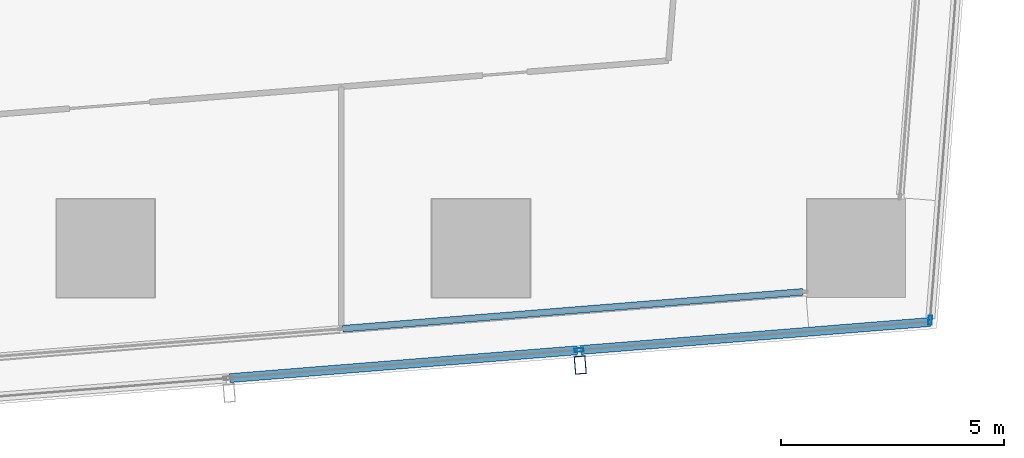
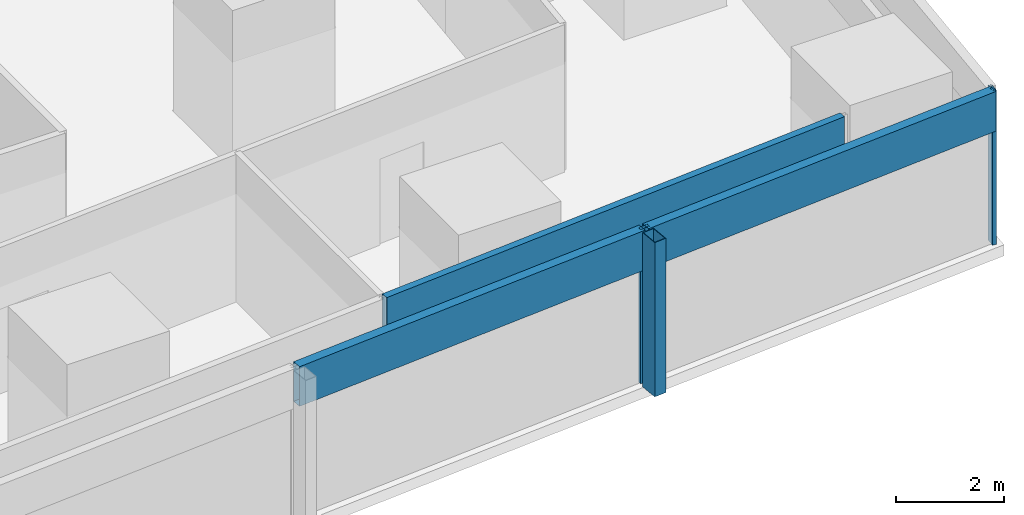
# One storey, part 11 of 44: 6 members, 3 elements without a shape of their own.
"""IFC4 building model written with IfcOpenShell, lengths in metres."""

from ifc_helpers import new_model, si_unit, direction, frame, origin, origin_2d, place, context, subcontext, project, spatial, hollow_rectangle, extrude, material, material_profile, profile_set, type_object, element, aggregate, save


model = new_model("IFC4")

# Units and contexts
model_context = context("Model", 3, precision=1e-05, world=origin(), true_north=direction((0.0, 1.0)))
body_context = subcontext(model_context, "Body", "Model", "MODEL_VIEW")
ifc_project = project(units=[si_unit("LENGTHUNIT", "METRE"), si_unit("AREAUNIT", "SQUARE_METRE"), si_unit("VOLUMEUNIT", "CUBIC_METRE"), si_unit("PLANEANGLEUNIT", "RADIAN"), si_unit("MASSUNIT", "GRAM", prefix="KILO")], contexts=[model_context])

# Site, building, storey
site_placement = place(None, origin())
site = spatial("IfcSite", under=ifc_project, at=site_placement, CompositionType="ELEMENT")
building_placement = place(site_placement, origin())
building = spatial("IfcBuilding", under=site, at=building_placement, Name="Rekha Terrace Tower", CompositionType="ELEMENT")
storey_placement = place(building_placement, frame((0.0, 0.0, 66.64990234375)))
storey = spatial("IfcBuildingStorey", under=building, at=storey_placement, Name="L16", CompositionType="ELEMENT", Elevation=66.64990234375)

# Curtain wall, member
ifc_material_1 = material(Name="Aluminium framing", Category="aluminium")
curtain_wall_type_1 = type_object("IfcCurtainWallType", Name="CW2 double skin outer glazing", PredefinedType="USERDEFINED", material=ifc_material_1)
curtain_wall_1_placement = place(storey_placement, origin())
curtain_wall_1 = element("IfcCurtainWall", 1, at=curtain_wall_1_placement, inside=storey, type_object=curtain_wall_type_1, Name="CW2 double skin outer glazing", ObjectType="DOUBLE SKIN OUTER GLAZING", PredefinedType="USERDEFINED")
ifc_material_2 = material(Name="Steel S355 with fluorocarbon finish", Category="steel")
ifc_material_profile_1 = material_profile(ifc_material_2, hollow_rectangle(XDim=0.25, YDim=0.39990234375, WallThickness=0.012451171875, at=origin_2d()), Name="RHS400x250x12.5")
ifc_profile_set_1 = profile_set([ifc_material_profile_1], Name="Steel S355 with fluorocarbon finish")
member_type_1 = type_object("IfcMemberType", Name="BL1 facade blade RHS 400 x 250", PredefinedType="USERDEFINED", material=ifc_profile_set_1)
member_1_placement = place(storey_placement, frame((61.022705078125, 5.78515625, 0.0), z_axis=(0.0, 0.0, 1.0), x_axis=(0.996805139821, 0.079871855039, 0.0)))
member_1 = element("IfcMember", 2, at=member_1_placement, type_object=member_type_1, Name="Facade blade", ObjectType="FACADE BLADE", PredefinedType="USERDEFINED", context=body_context, shape_type="SweptSolid", body=[
    extrude(hollow_rectangle(XDim=0.25, YDim=0.39990234375, WallThickness=0.012451171875, at=origin_2d()), origin(), (0.0, 0.0, 1.0), 3.5),
])

curtain_wall_type_2 = type_object("IfcCurtainWallType", Name="CW1 double skin inner glazing", PredefinedType="USERDEFINED", material=ifc_material_1)
curtain_wall_2_placement = place(storey_placement, origin())
curtain_wall_2 = element("IfcCurtainWall", 3, at=curtain_wall_2_placement, inside=storey, type_object=curtain_wall_type_2, Name="CW1 double skin inner glazing", ObjectType="DOUBLE SKIN INNER GLAZING", PredefinedType="USERDEFINED")
ifc_material_3 = material(Name="Insulated aluminium spandrel box", Category="aluminium")
ifc_material_profile_2 = material_profile(ifc_material_3, hollow_rectangle(XDim=0.14990234375, YDim=0.89990234375, WallThickness=0.0029296875, at=origin_2d()), Name="AL SPANDREL BOX 150x900")
ifc_profile_set_2 = profile_set([ifc_material_profile_2], Name="Insulated aluminium spandrel box")
member_type_2 = type_object("IfcMemberType", Name="CW1 spandrel transom 150 x 900", PredefinedType="USERDEFINED", material=ifc_profile_set_2)
member_2_placement = place(storey_placement, frame((55.704345703125, 6.59814453125, 3.050048828125), z_axis=(0.996806184606, 0.079858814989, 0.0), x_axis=(-0.079858814989, 0.996806184606, 0.0)))
member_2 = element("IfcMember", 4, at=member_2_placement, type_object=member_type_2, Name="CW1 spandrel transom 2", ObjectType="TRANSOM", PredefinedType="USERDEFINED", context=body_context, shape_type="SweptSolid", body=[
    extrude(hollow_rectangle(XDim=0.14990234375, YDim=0.89990234375, WallThickness=0.0029296875, at=origin_2d()), origin(), (0.0, 0.0, 1.0), 10.336181640625),
])
aggregate(curtain_wall_2, [member_2])

# Member
ifc_material_4 = material(Name="Aluminium mullion section", Category="aluminium")
ifc_material_profile_3 = material_profile(ifc_material_4, hollow_rectangle(XDim=0.080078125, YDim=0.199951171875, WallThickness=0.00390625, at=origin_2d()), Name="AL RHS 80x200")
ifc_profile_set_3 = profile_set([ifc_material_profile_3], Name="Aluminium mullion section")
member_type_3 = type_object("IfcMemberType", Name="CW2 mullion RHS 80 x 200", PredefinedType="MULLION", material=ifc_profile_set_3)
member_3_placement = place(storey_placement, frame((60.99609375, 6.119140625, 0.0), z_axis=(0.0, 0.0, 1.0), x_axis=(-0.079872204468, 0.996805111821, 0.0)))
member_3 = element("IfcMember", 5, at=member_3_placement, type_object=member_type_3, Name="CW2 mullion 3", PredefinedType="MULLION", context=body_context, shape_type="SweptSolid", body=[
    extrude(hollow_rectangle(XDim=0.080078125, YDim=0.199951171875, WallThickness=0.00390625, at=origin_2d()), origin(), (0.0, 0.0, 1.0), 3.5),
])

# Curtain wall, member
curtain_wall_3_placement = place(storey_placement, origin())
curtain_wall_3 = element("IfcCurtainWall", 6, at=curtain_wall_3_placement, inside=storey, type_object=curtain_wall_type_1, Name="CW2 double skin outer glazing", ObjectType="DOUBLE SKIN OUTER GLAZING", PredefinedType="USERDEFINED")
member_4_placement = place(storey_placement, frame((68.8544921875, 6.78857421875, 0.0), z_axis=(0.0, 0.0, 1.0), x_axis=(-0.996865392575, 0.079116301017, 0.0)))
member_4 = element("IfcMember", 7, at=member_4_placement, type_object=member_type_3, Name="CW2 mullion 1", PredefinedType="MULLION", context=body_context, shape_type="SweptSolid", body=[
    extrude(hollow_rectangle(XDim=0.080078125, YDim=0.199951171875, WallThickness=0.00390625, at=origin_2d()), origin(), (0.0, 0.0, 1.0), 3.5),
])
aggregate(curtain_wall_3, [member_4])

# Member
ifc_material_profile_4 = material_profile(ifc_material_3, hollow_rectangle(XDim=0.199951171875, YDim=0.89990234375, WallThickness=0.0029296875, at=origin_2d()), Name="AL SPANDREL BOX 200x900")
ifc_profile_set_4 = profile_set([ifc_material_profile_4], Name="Insulated aluminium spandrel box")
member_type_4 = type_object("IfcMemberType", Name="CW2 spandrel transom 200 x 900", PredefinedType="USERDEFINED", material=ifc_profile_set_4)
member_5_placement = place(storey_placement, frame((53.1806640625, 5.492919921875, 3.050048828125), z_axis=(0.996804920132, 0.079874596715, 0.0), x_axis=(-0.079874596715, 0.996804920132, 0.0)))
member_5 = element("IfcMember", 8, at=member_5_placement, type_object=member_type_4, Name="CW2 spandrel transom 2", ObjectType="TRANSOM", PredefinedType="USERDEFINED", context=body_context, shape_type="SweptSolid", body=[
    extrude(hollow_rectangle(XDim=0.199951171875, YDim=0.89990234375, WallThickness=0.0029296875, at=origin_2d()), origin(), (0.0, 0.0, 1.0), 7.80029296875),
])

member_6_placement = place(storey_placement, frame((61.035888671875, 6.122314453125, 3.050048828125), z_axis=(0.996805270739, 0.07987022115, 0.0), x_axis=(-0.07987022115, 0.996805270739, 0.0)))
member_6 = element("IfcMember", 9, at=member_6_placement, type_object=member_type_4, Name="CW2 spandrel transom 3", ObjectType="TRANSOM", PredefinedType="USERDEFINED", context=body_context, shape_type="SweptSolid", body=[
    extrude(hollow_rectangle(XDim=0.199951171875, YDim=0.89990234375, WallThickness=0.0029296875, at=origin_2d()), origin(), (0.0, 0.0, 1.0), 7.840576171875),
])

aggregate(curtain_wall_1, [member_3, member_5, member_6, member_1])

save(model, "model.ifc")
